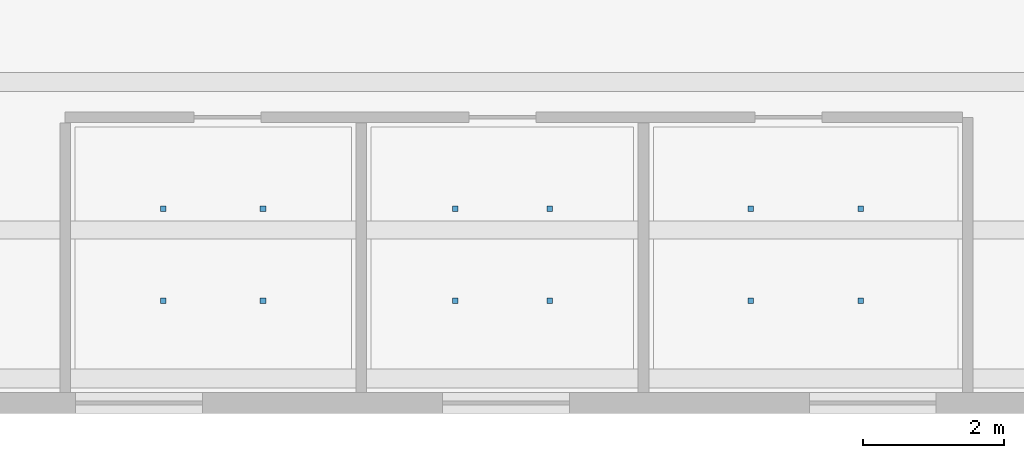
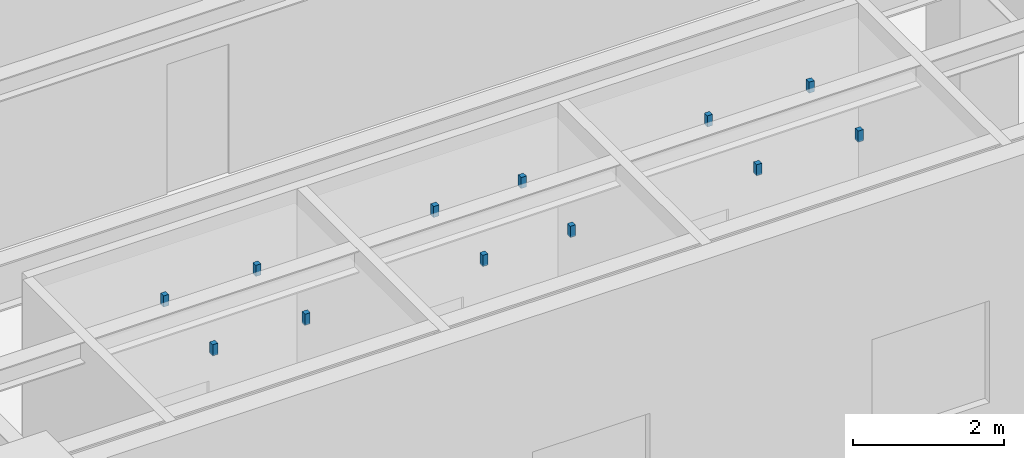
# One storey, part 18 of 21: 12 discrete accessories.
"""IFC4 building model written with IfcOpenShell, lengths in metres."""

import ifcopenshell
import ifcopenshell.guid

model = None  # the IFC model being written
_history = None  # IfcOwnerHistory: only IFC2X3 demands one
_inside = {}  # id of a spatial element -> (the spatial element, [elements in it])
_under = {}  # id of a project, library or spatial element -> (it, [spatial elements below it])
_declared = {}  # id of a project -> (the project, [libraries it declares])
_typed = {}  # id of a type object -> (the type object, [elements of that type])
_made_of = {}  # id of a material, layer set ... -> (it, [elements and type objects made of it])


def new_model(schema):
    """Start an empty IFC model of exactly this schema.

    Asked for "IFC4X3", IfcOpenShell would pick the latest addendum, in which some entities
    have other attributes; the version numbers below select the first issue.
    IFC2X3 requires an IfcOwnerHistory on every rooted entity: one is made here for all.
    """
    global model, _history
    if schema == "IFC4X3":
        model = ifcopenshell.file(schema_version=(4, 3, 0, 0))
    else:
        model = ifcopenshell.file(schema=schema)
    _inside.clear()
    _under.clear()
    _declared.clear()
    _typed.clear()
    _made_of.clear()
    _history = None
    if model.schema == "IFC2X3":
        org = make("IfcOrganization", Name="unknown")
        user = make(
            "IfcPersonAndOrganization",
            ThePerson=make("IfcPerson", FamilyName="unknown"),
            TheOrganization=org,
        )
        app = make(
            "IfcApplication",
            ApplicationDeveloper=org,
            Version="unknown",
            ApplicationFullName="unknown",
            ApplicationIdentifier="unknown",
        )
        _history = make(
            "IfcOwnerHistory",
            OwningUser=user,
            OwningApplication=app,
            ChangeAction="ADDED",
            CreationDate=0,
        )
    return model


def make(cls, **values):
    """One entity of the class cls with the attributes given. An attribute that is None is left unset."""
    return model.create_entity(
        cls, **{name: value for name, value in values.items() if value is not None}
    )


def rooted(cls, **values):
    """An entity with a GlobalId (a new one), such as an element, a storey or a relation."""
    return make(cls, GlobalId=ifcopenshell.guid.new(), OwnerHistory=_history, **values)


def si_unit(unit_type, name, prefix=None):
    """IfcSIUnit, for example si_unit("LENGTHUNIT", "METRE", prefix="MILLI")."""
    return make("IfcSIUnit", UnitType=unit_type, Prefix=prefix, Name=name)


def assignment(units):
    """IfcUnitAssignment: the units of a project."""
    return None if units is None else make("IfcUnitAssignment", Units=units)


def point(xyz):
    """IfcCartesianPoint."""
    return None if xyz is None else make("IfcCartesianPoint", Coordinates=xyz)


def direction(xyz):
    """IfcDirection."""
    return None if xyz is None else make("IfcDirection", DirectionRatios=xyz)


def frame(location, z_axis=None, x_axis=None):
    """IfcAxis2Placement3D, a coordinate frame: its origin and axes. An axis left out is left unset."""
    return make(
        "IfcAxis2Placement3D",
        Location=point(location),
        Axis=direction(z_axis),
        RefDirection=direction(x_axis),
    )


def frame_2d(location, x_axis=None):
    """IfcAxis2Placement2D, a coordinate frame in the plane: its origin and x axis."""
    return make(
        "IfcAxis2Placement2D", Location=point(location), RefDirection=direction(x_axis)
    )


def origin():
    """The frame at (0, 0, 0) with its axes left unset."""
    return frame((0.0, 0.0, 0.0))


def origin_2d():
    """The frame at (0, 0) in the plane with its x axis left unset."""
    return frame_2d((0.0, 0.0))


def place(relative_to, where):
    """IfcLocalPlacement: puts the frame where relative to a parent placement (None: the world)."""
    return make(
        "IfcLocalPlacement", PlacementRelTo=relative_to, RelativePlacement=where
    )


def context(
    kind, dimensions, precision=None, world=None, true_north=None, identifier=None
):
    """IfcGeometricRepresentationContext, for example the 3D "Model" context."""
    return make(
        "IfcGeometricRepresentationContext",
        ContextIdentifier=identifier,
        ContextType=kind,
        CoordinateSpaceDimension=dimensions,
        Precision=precision,
        WorldCoordinateSystem=world,
        TrueNorth=true_north,
    )


def subcontext(parent, identifier, kind, view, scale=None):
    """IfcGeometricRepresentationSubContext, for example "Body" below "Model"."""
    return make(
        "IfcGeometricRepresentationSubContext",
        ContextIdentifier=identifier,
        ContextType=kind,
        ParentContext=parent,
        TargetScale=scale,
        TargetView=view,
    )


def project(units=None, contexts=None):
    """IfcProject with its units and contexts."""
    return rooted(
        "IfcProject",
        Name="project",
        RepresentationContexts=contexts,
        UnitsInContext=assignment(units),
    )


def spatial(cls, under=None, at=None, **own):
    """A site, building, storey or space (cls), placed at a placement, below another one or the project."""
    s = rooted(cls, ObjectPlacement=at, **own)
    if under is not None:
        _under.setdefault(under.id(), (under, []))[1].append(s)
    return s


def profile(cls, at=None, kind="AREA", **sizes):
    """A parametric profile (cls). Its sizes go by their IFC names, for example OverallWidth=200.0."""
    return make(cls, ProfileType=kind, Position=at, **sizes)


def rectangle(**sizes):
    """IfcRectangleProfileDef."""
    return profile("IfcRectangleProfileDef", **sizes)


def extrude(swept, where, along, depth):
    """IfcExtrudedAreaSolid: the profile swept, set in the frame where, extruded along a direction by depth."""
    return make(
        "IfcExtrudedAreaSolid",
        SweptArea=swept,
        Position=where,
        ExtrudedDirection=direction(along),
        Depth=depth,
    )


def shape(context_of_items, identifier, shape_type, items):
    """IfcShapeRepresentation: the items that make up one representation, for example the "Body"."""
    return make(
        "IfcShapeRepresentation",
        ContextOfItems=context_of_items,
        RepresentationIdentifier=identifier,
        RepresentationType=shape_type,
        Items=items,
    )


def material(Name=None, Category=None):
    """IfcMaterial."""
    return make("IfcMaterial", Name=Name, Category=Category)


def made_of(thing, what):
    """Note that an element or type object is made of a material, layer set ...; save() writes the relation."""
    if what is not None:
        _made_of.setdefault(what.id(), (what, []))[1].append(thing)
    return thing


def type_object(cls, material=None, **own):
    """A type object (cls), such as IfcWallType, which elements share."""
    return made_of(rooted(cls, **own), material)


def element(
    cls,
    number,
    at=None,
    inside=None,
    cuts=None,
    type_object=None,
    material=None,
    context=None,
    identifier="Body",
    shape_type=None,
    held_by="IfcProductDefinitionShape",
    body=None,
    shapes=None,
    **own,
):
    """One element of the class cls, such as IfcWall. Its Tag is "e" and its number.

    at: its placement. inside: the storey or other place that contains it. cuts: it is an
    opening in that element (IfcRelVoidsElement). A single representation is given by context,
    identifier, shape_type and body (its items); several are given by shapes. held_by: the class
    of the entity that holds the representations. save() writes the other relations.
    """
    e = rooted(cls, Tag="e%d" % number, ObjectPlacement=at, **own)
    if body is not None:
        shapes = [shape(context, identifier, shape_type, body)]
    if shapes is not None:
        e.Representation = make(held_by, Representations=shapes)
    if inside is not None:
        _inside.setdefault(inside.id(), (inside, []))[1].append(e)
    if cuts is not None:
        rooted(
            "IfcRelVoidsElement", RelatingBuildingElement=cuts, RelatedOpeningElement=e
        )
    if type_object is not None:
        _typed.setdefault(type_object.id(), (type_object, []))[1].append(e)
    return made_of(e, material)


def aggregate(whole, parts):
    """IfcRelAggregates: a whole, such as a stair, and the parts it consists of."""
    return rooted("IfcRelAggregates", RelatingObject=whole, RelatedObjects=parts)


def save(model, path):
    """Write the relations noted so far, then the file.

    IfcRelAggregates (storeys below a building ...), IfcRelContainedInSpatialStructure (elements
    in a storey), IfcRelDefinesByType, IfcRelAssociatesMaterial and IfcRelDeclares: one each for
    every whole, place, type object, material and project.
    """
    for whole, parts in _under.values():
        aggregate(whole, parts)
    for where, things in _inside.values():
        rooted(
            "IfcRelContainedInSpatialStructure",
            RelatedElements=things,
            RelatingStructure=where,
        )
    for kind, things in _typed.values():
        rooted("IfcRelDefinesByType", RelatedObjects=things, RelatingType=kind)
    for what, things in _made_of.values():
        rooted("IfcRelAssociatesMaterial", RelatedObjects=things, RelatingMaterial=what)
    for by, libraries in _declared.values():
        rooted("IfcRelDeclares", RelatingContext=by, RelatedDefinitions=libraries)
    model.write(path)


model = new_model("IFC4")

# Units and contexts
model_context = context("Model", 3, precision=1e-05, world=origin(), true_north=direction((0.0, 1.0)))
body_context = subcontext(model_context, "Body", "Model", "MODEL_VIEW")
ifc_project = project(units=[si_unit("LENGTHUNIT", "METRE"), si_unit("AREAUNIT", "SQUARE_METRE"), si_unit("VOLUMEUNIT", "CUBIC_METRE"), si_unit("PLANEANGLEUNIT", "RADIAN"), si_unit("MASSUNIT", "GRAM", prefix="KILO")], contexts=[model_context])

# Site, building, storey
site_placement = place(None, origin())
site = spatial("IfcSite", under=ifc_project, at=site_placement, CompositionType="ELEMENT")
building_placement = place(site_placement, origin())
building = spatial("IfcBuilding", under=site, at=building_placement, Name="Kolvaren Gate Tower and Convention Centre", CompositionType="ELEMENT")
storey_placement = place(building_placement, frame((0.0, 0.0, 5.0)))
storey = spatial("IfcBuildingStorey", under=building, at=storey_placement, Name="L01", CompositionType="ELEMENT", Elevation=5.0)

# Discrete accessories
ifc_material = material(Name="Brushed Stainless Steel Grade 316L", Category="steel")
discrete_accessory_type = type_object("IfcDiscreteAccessoryType", Name="ARCH-ACC-HANGER-80", PredefinedType="BRACKET", material=ifc_material)
for number, where, z_axis, x_axis, name in (
    (1, (74.993896484375, 3.798095703125, 4.56005859375), (0.0, 0.0, 1.0), (1.0, 0.0, 0.0), "Convention L01 Delegate Male Restroom Ceiling Suspension Hanger Clip 1"),
    (2, (76.406005859375, 3.798095703125, 4.56005859375), (0.0, 0.0, 1.0), (1.0, 0.0, 0.0), "Convention L01 Delegate Male Restroom Ceiling Suspension Hanger Clip 2"),
    (3, (74.993896484375, 5.10205078125, 4.56005859375), (0.0, 0.0, 1.0), (1.0, 0.0, 0.0), "Convention L01 Delegate Male Restroom Ceiling Suspension Hanger Clip 3"),
    (4, (76.406005859375, 5.10205078125, 4.56005859375), (0.0, 0.0, 1.0), (1.0, 0.0, 0.0), "Convention L01 Delegate Male Restroom Ceiling Suspension Hanger Clip 4"),
    (5, (79.1298828125, 3.798095703125, 4.56005859375), (0.0, 0.0, 1.0), (1.0, 0.0, 0.0), "Convention L01 Accessible Restroom Ceiling Suspension Hanger Clip 1"),
    (6, (80.469970703125, 3.798095703125, 4.56005859375), (0.0, 0.0, 1.0), (1.0, 0.0, 0.0), "Convention L01 Accessible Restroom Ceiling Suspension Hanger Clip 2"),
    (7, (79.1298828125, 5.10205078125, 4.56005859375), (0.0, 0.0, 1.0), (1.0, 0.0, 0.0), "Convention L01 Accessible Restroom Ceiling Suspension Hanger Clip 3"),
    (8, (80.469970703125, 5.10205078125, 4.56005859375), (0.0, 0.0, 1.0), (1.0, 0.0, 0.0), "Convention L01 Accessible Restroom Ceiling Suspension Hanger Clip 4"),
    (9, (83.322021484375, 3.798095703125, 4.56005859375), (0.0, 0.0, 1.0), (1.0, 0.0, 0.0), "Convention L01 Delegate Female Restroom Ceiling Suspension Hanger Clip 1"),
    (10, (84.8779296875, 3.798095703125, 4.56005859375), (0.0, 0.0, 1.0), (1.0, 0.0, 0.0), "Convention L01 Delegate Female Restroom Ceiling Suspension Hanger Clip 2"),
    (11, (83.322021484375, 5.10205078125, 4.56005859375), (0.0, 0.0, 1.0), (1.0, 0.0, 0.0), "Convention L01 Delegate Female Restroom Ceiling Suspension Hanger Clip 3"),
    (12, (84.8779296875, 5.10205078125, 4.56005859375), (0.0, 0.0, 1.0), (1.0, 0.0, 0.0), "Convention L01 Delegate Female Restroom Ceiling Suspension Hanger Clip 4"),
):
    element("IfcDiscreteAccessory", number, at=place(storey_placement, frame(where, z_axis=z_axis, x_axis=x_axis)), inside=storey, type_object=discrete_accessory_type, Name=name, PredefinedType="BRACKET", context=body_context, shape_type="SweptSolid", body=[
        extrude(rectangle(XDim=0.080078125, YDim=0.080078125, at=origin_2d()), origin(), (0.0, 0.0, 1.0), 0.179931640625),
    ])

save(model, "model.ifc")
